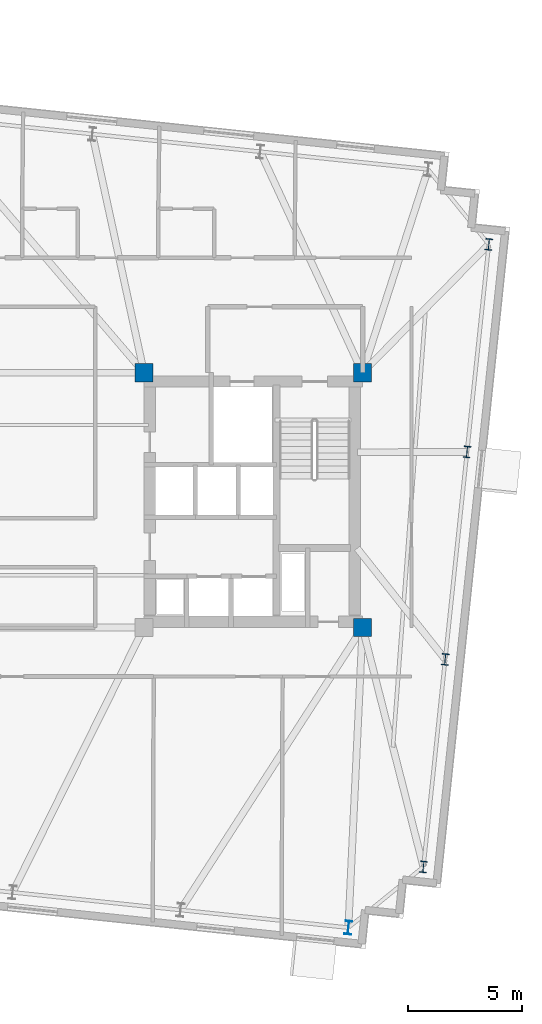
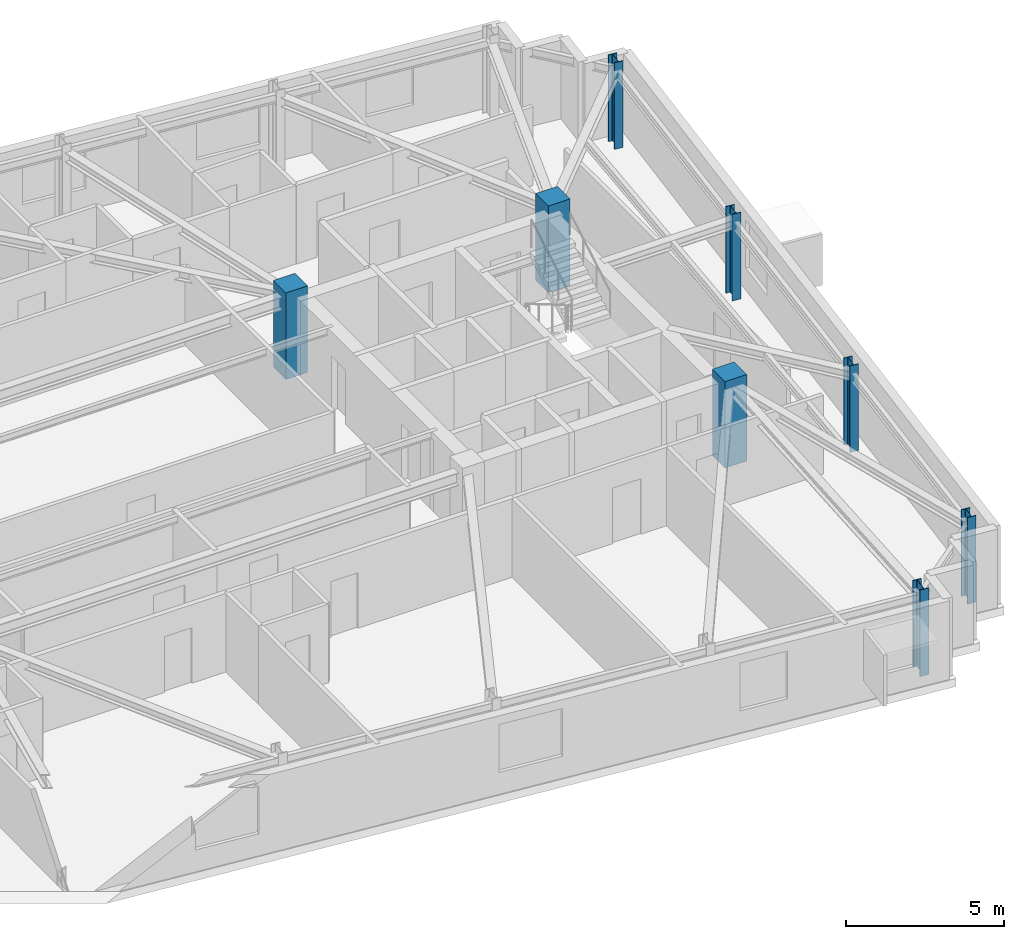
# One storey, part 2 of 12: 8 columns.
"""IFC4 building model written with IfcOpenShell, lengths in metres."""

from ifc_helpers import new_model, si_unit, direction, frame, origin, origin_2d, place, context, subcontext, project, spatial, rectangle, i_section, extrude, material, material_profile, profile_set, type_object, element, save


model = new_model("IFC4")

# Units and contexts
model_context = context("Model", 3, precision=1e-05, world=origin(), true_north=direction((0.0, 1.0)))
body_context = subcontext(model_context, "Body", "Model", "MODEL_VIEW")
ifc_project = project(units=[si_unit("LENGTHUNIT", "METRE"), si_unit("AREAUNIT", "SQUARE_METRE"), si_unit("VOLUMEUNIT", "CUBIC_METRE"), si_unit("PLANEANGLEUNIT", "RADIAN"), si_unit("MASSUNIT", "GRAM", prefix="KILO")], contexts=[model_context])

# Site, building, storey
site_placement = place(None, origin())
site = spatial("IfcSite", under=ifc_project, at=site_placement, CompositionType="ELEMENT")
building_placement = place(site_placement, origin())
building = spatial("IfcBuilding", under=site, at=building_placement, Name="Qobustan Lattice House", CompositionType="ELEMENT")
storey_placement = place(building_placement, frame((0.0, 0.0, 189.699951171875)))
storey = spatial("IfcBuildingStorey", under=building, at=storey_placement, Name="L53", CompositionType="ELEMENT", Elevation=189.699951171875)

# Columns
ifc_material_1 = material(Name="Concrete C50/60", Category="concrete")
ifc_material_profile_1 = material_profile(ifc_material_1, rectangle(XDim=0.800048828125, YDim=0.800048828125, at=origin_2d()), Name="RC800x800")
ifc_profile_set_1 = profile_set([ifc_material_profile_1], Name="Concrete C50/60")
column_type_1 = type_object("IfcColumnType", Name="COL-RC-800", PredefinedType="COLUMN", material=ifc_profile_set_1)
for number, where, z_axis, x_axis, name in (
    (1, (9.199951171875, 5.60009765625, 0.0), (0.0, 0.0, 1.0), (1.0, 0.0, 0.0), "L53 core mega-column CE-NW"),
    (2, (18.800048828125, -5.60009765625, 0.0), (0.0, 0.0, 1.0), (1.0, 0.0, 0.0), "L53 core mega-column CE-SE"),
    (3, (18.800048828125, 5.60009765625, 0.0), (0.0, 0.0, 1.0), (1.0, 0.0, 0.0), "L53 core mega-column CE-NE"),
):
    element("IfcColumn", number, at=place(storey_placement, frame(where, z_axis=z_axis, x_axis=x_axis)), inside=storey, type_object=column_type_1, Name=name, PredefinedType="COLUMN", context=body_context, shape_type="SweptSolid", body=[
        extrude(rectangle(XDim=0.800048828125, YDim=0.800048828125, at=origin_2d()), origin(), (0.0, 0.0, 1.0), 3.35009765625),
    ])
ifc_material_2 = material(Name="Steel S355", Category="steel")
ifc_material_profile_2 = material_profile(ifc_material_2, i_section(OverallWidth=0.300048828125, OverallDepth=0.5, WebThickness=0.014404296875, FlangeThickness=0.028076171875, FilletRadius=0.027099609375, at=origin_2d()), Name="HEB500")
ifc_profile_set_2 = profile_set([ifc_material_profile_2], Name="Steel S355")
column_type_2 = type_object("IfcColumnType", Name="COL-ST-HEB500", PredefinedType="COLUMN", material=ifc_profile_set_2)
for number, where, z_axis, x_axis, name in (
    (4, (21.474365234375, -16.114013671875, 0.0), (0.0, 0.0, 1.0), (0.994521895368, -0.104528463268, 0.0), "L53 B4 perimeter column E1"),
    (5, (22.4326171875, -6.99755859375, 0.0), (0.0, 0.0, 1.0), (0.994521895368, -0.104528463268, 0.0), "L53 B4 perimeter column E2"),
    (6, (23.390869140625, 2.118896484375, 0.0), (0.0, 0.0, 1.0), (0.994521895368, -0.104528463268, 0.0), "L53 B4 perimeter column E3"),
    (7, (24.348876953125, 11.2353515625, 0.0), (0.0, 0.0, 1.0), (0.994521895368, -0.104528463268, 0.0), "L53 B4 perimeter column E4"),
):
    element("IfcColumn", number, at=place(storey_placement, frame(where, z_axis=z_axis, x_axis=x_axis)), inside=storey, type_object=column_type_2, Name=name, PredefinedType="COLUMN", context=body_context, shape_type="SweptSolid", body=[
        extrude(i_section(OverallWidth=0.300048828125, OverallDepth=0.5, WebThickness=0.014404296875, FlangeThickness=0.028076171875, FilletRadius=0.027099609375, at=origin_2d()), origin(), (0.0, 0.0, 1.0), 3.35009765625),
    ])
ifc_material_3 = material(Name="Steel S355", Category="steel")
ifc_material_profile_3 = material_profile(ifc_material_3, i_section(OverallWidth=0.300048828125, OverallDepth=0.60009765625, WebThickness=0.015380859375, FlangeThickness=0.030029296875, FilletRadius=0.027099609375, at=origin_2d()), Name="HEB600")
ifc_profile_set_3 = profile_set([ifc_material_profile_3], Name="Steel S355")
column_type_3 = type_object("IfcColumnType", Name="COL-ST-HEB600", PredefinedType="COLUMN", material=ifc_profile_set_3)
column_placement = place(storey_placement, frame((18.17724609375, -18.783935546875, 0.0), z_axis=(0.0, 0.0, 1.0), x_axis=(0.994521895368, -0.104528463268, 0.0)))
element("IfcColumn", 8, at=column_placement, inside=storey, type_object=column_type_3, Name="L53 B4 perimeter column S7", PredefinedType="COLUMN", context=body_context, shape_type="SweptSolid", body=[
    extrude(i_section(OverallWidth=0.300048828125, OverallDepth=0.60009765625, WebThickness=0.015380859375, FlangeThickness=0.030029296875, FilletRadius=0.027099609375, at=origin_2d()), origin(), (0.0, 0.0, 1.0), 3.35009765625),
])

save(model, "model.ifc")
